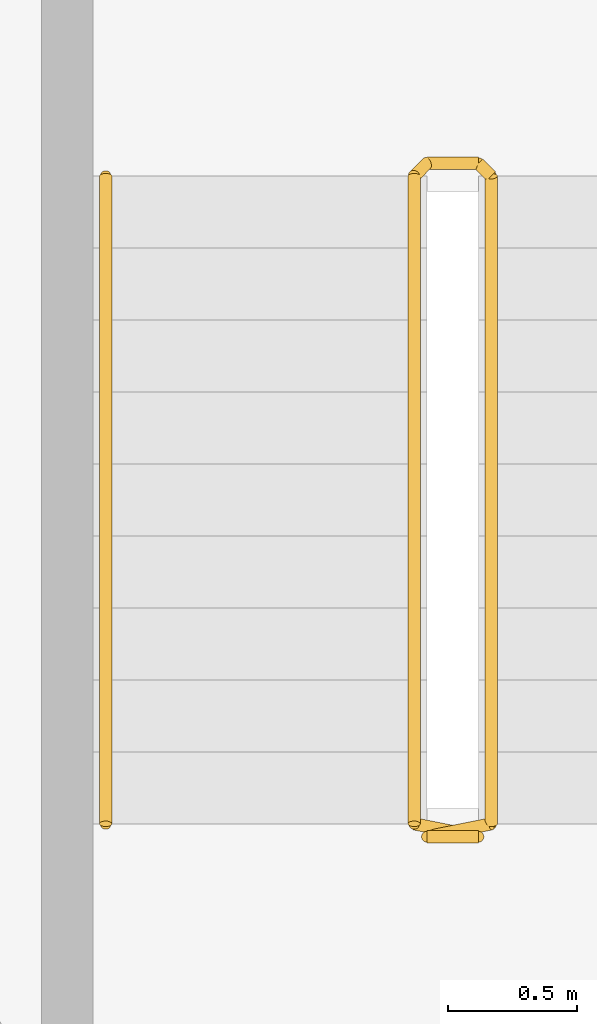
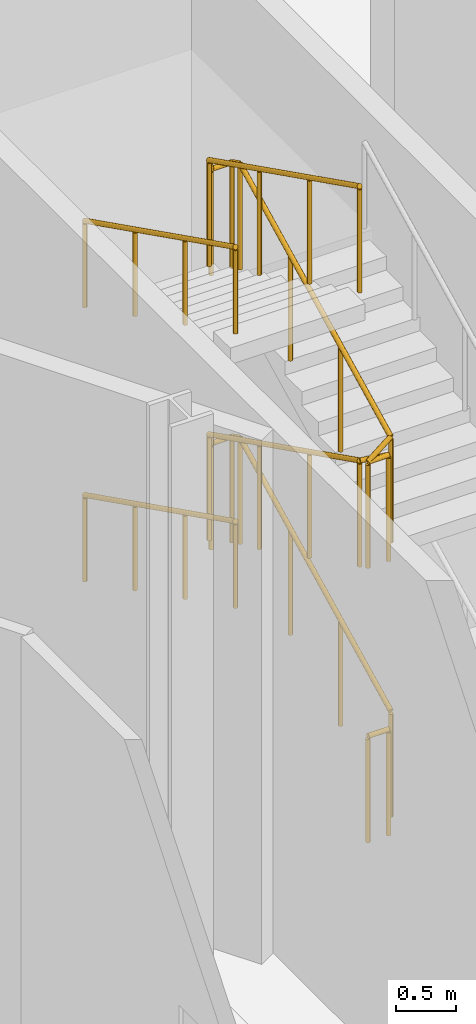
# One storey, part 22 of 26: 4 railings.
"""IFC4 building model written with IfcOpenShell, lengths in metres."""

from ifc_helpers import new_model, si_unit, direction, frame, origin, origin_2d, place, context, subcontext, project, spatial, circle, extrude, material, type_object, element, save


model = new_model("IFC4")

# Units and contexts
model_context = context("Model", 3, precision=1e-05, world=origin(), true_north=direction((0.0, 1.0)))
body_context = subcontext(model_context, "Body", "Model", "MODEL_VIEW")
ifc_project = project(units=[si_unit("LENGTHUNIT", "METRE"), si_unit("AREAUNIT", "SQUARE_METRE"), si_unit("VOLUMEUNIT", "CUBIC_METRE"), si_unit("PLANEANGLEUNIT", "RADIAN"), si_unit("MASSUNIT", "GRAM", prefix="KILO")], contexts=[model_context])

# Site, building, storey
site_placement = place(None, origin())
site = spatial("IfcSite", under=ifc_project, at=site_placement, CompositionType="ELEMENT")
building_placement = place(site_placement, origin())
building = spatial("IfcBuilding", under=site, at=building_placement, Name="Verrane Prism Tower", CompositionType="ELEMENT")
storey_placement = place(building_placement, frame((0.0, 0.0, 87.199951171875)))
storey = spatial("IfcBuildingStorey", under=building, at=storey_placement, Name="L20", CompositionType="ELEMENT", Elevation=87.199951171875)

# Railings
ifc_material_1 = material(Name="Steel A36 rail and posts, no infill", Category="steel")
railing_type_1 = type_object("IfcRailingType", Name="Stair guard 1100 steel rail and posts", PredefinedType="GUARDRAIL", material=ifc_material_1)
railing_1_placement = place(storey_placement, frame((0.14990234375, -13.699951171875, 0.14013671875)))
element("IfcRailing", 1, at=railing_1_placement, inside=storey, type_object=railing_type_1, Name="Stair 3 guard", PredefinedType="GUARDRAIL", context=body_context, shape_type="SweptSolid", body=[
    extrude(circle(Radius=0.02392578125, at=origin_2d()), frame((0.0, 0.0, 1.076171875), z_axis=(0.0, 0.894427191, 0.4472135955), x_axis=(-1.0, 0.0, 0.0)), (0.0, 0.0, 1.0), 2.8173828125),
    extrude(circle(Radius=0.02392578125, at=origin_2d()), frame((0.0, 2.52001953125, 2.3359375), z_axis=(-0.705375805398, 0.708833529934, 0.0), x_axis=(-0.708833529934, -0.705375805398, 0.0)), (0.0, 0.0, 1.0), 0.070556640625),
    extrude(circle(Radius=0.02392578125, at=origin_2d()), frame((-0.0498046875, 2.570068359375, 2.3359375), z_axis=(-1.0, 0.0, 0.0), x_axis=(0.0, -1.0, 0.0)), (0.0, 0.0, 1.0), 0.2001953125),
    extrude(circle(Radius=0.02392578125, at=origin_2d()), frame((-0.25, 2.570068359375, 2.3359375), z_axis=(-0.317831817711, -0.319389816817, 0.892733487982), x_axis=(0.708833529934, -0.705375805398, 0.0)), (0.0, 0.0, 1.0), 0.15673828125),
    extrude(circle(Radius=0.02392578125, at=origin_2d()), frame((-0.2998046875, 2.52001953125, 2.47607421875), z_axis=(0.0, -0.894427191, 0.4472135955), x_axis=(1.0, 0.0, 0.0)), (0.0, 0.0, 1.0), 2.8173828125),
    extrude(circle(Radius=0.02392578125, at=origin_2d()), frame((-0.2998046875, 0.0, 3.73583984375), z_axis=(0.98054382908, -0.196300278283, 0.0), x_axis=(0.196300278283, 0.98054382908, 0.0)), (0.0, 0.0, 1.0), 0.2548828125),
    extrude(circle(Radius=0.02392578125, at=origin_2d()), frame((-0.0498046875, -0.050048828125, 3.73583984375), z_axis=(-1.0, 0.0, 0.0), x_axis=(0.0, -1.0, 0.0)), (0.0, 0.0, 1.0), 0.2001953125),
    extrude(circle(Radius=0.02392578125, at=origin_2d()), frame((-0.25, -0.050048828125, 3.73583984375), z_axis=(0.859645652512, 0.172097030044, 0.481032186415), x_axis=(-0.196300278283, 0.98054382908, 0.0)), (0.0, 0.0, 1.0), 0.290771484375),
    extrude(circle(Radius=0.02392578125, at=origin_2d()), frame((0.0, 0.0, 3.8759765625), z_axis=(0.0, 0.894427191, 0.4472135955), x_axis=(-1.0, 0.0, 0.0)), (0.0, 0.0, 1.0), 2.8173828125),
    extrude(circle(Radius=0.02392578125, at=origin_2d()), frame((0.0, 2.52001953125, 5.1357421875), z_axis=(-0.705375805398, 0.708833529934, 0.0), x_axis=(-0.708833529934, -0.705375805398, 0.0)), (0.0, 0.0, 1.0), 0.070556640625),
    extrude(circle(Radius=0.02392578125, at=origin_2d()), frame((-0.0498046875, 2.570068359375, 5.1357421875), z_axis=(-1.0, 0.0, 0.0), x_axis=(0.0, -1.0, 0.0)), (0.0, 0.0, 1.0), 0.2001953125),
    extrude(circle(Radius=0.02392578125, at=origin_2d()), frame((-0.25, 2.570068359375, 5.1357421875), z_axis=(-0.317390288449, -0.318946123196, 0.89304914495), x_axis=(0.708833529934, -0.705375805398, 0.0)), (0.0, 0.0, 1.0), 0.156982421875),
    extrude(circle(Radius=0.02392578125, at=origin_2d()), frame((-0.2998046875, 2.52001953125, 5.27587890625), z_axis=(0.0, -0.894427191, 0.4472135955), x_axis=(1.0, 0.0, 0.0)), (0.0, 0.0, 1.0), 2.8173828125),
    extrude(circle(Radius=0.02099609375, at=origin_2d()), origin(), (0.0, 0.0, 1.0), 1.052001953125),
    extrude(circle(Radius=0.02099609375, at=origin_2d()), frame((0.0, 0.840087890625, 0.419921875)), (0.0, 0.0, 1.0), 1.052001953125),
    extrude(circle(Radius=0.02099609375, at=origin_2d()), frame((0.0, 1.679931640625, 0.840087890625)), (0.0, 0.0, 1.0), 1.052001953125),
    extrude(circle(Radius=0.02099609375, at=origin_2d()), frame((0.0, 2.52001953125, 1.260009765625)), (0.0, 0.0, 1.0), 1.052001953125),
    extrude(circle(Radius=0.02099609375, at=origin_2d()), frame((-0.0498046875, 2.570068359375, 1.260009765625)), (0.0, 0.0, 1.0), 1.052001953125),
    extrude(circle(Radius=0.02099609375, at=origin_2d()), frame((-0.25, 2.570068359375, 1.260009765625)), (0.0, 0.0, 1.0), 1.052001953125),
    extrude(circle(Radius=0.02099609375, at=origin_2d()), frame((-0.2998046875, 2.52001953125, 1.39990234375)), (0.0, 0.0, 1.0), 1.052001953125),
    extrude(circle(Radius=0.02099609375, at=origin_2d()), frame((-0.2998046875, 1.679931640625, 1.81982421875)), (0.0, 0.0, 1.0), 1.052001953125),
    extrude(circle(Radius=0.02099609375, at=origin_2d()), frame((-0.2998046875, 0.840087890625, 2.239990234375)), (0.0, 0.0, 1.0), 1.052001953125),
    extrude(circle(Radius=0.02099609375, at=origin_2d()), frame((-0.2998046875, 0.0, 2.659912109375)), (0.0, 0.0, 1.0), 1.052001953125),
    extrude(circle(Radius=0.02099609375, at=origin_2d()), frame((-0.0498046875, -0.050048828125, 2.659912109375)), (0.0, 0.0, 1.0), 1.052001953125),
    extrude(circle(Radius=0.02099609375, at=origin_2d()), frame((-0.25, -0.050048828125, 2.659912109375)), (0.0, 0.0, 1.0), 1.052001953125),
    extrude(circle(Radius=0.02099609375, at=origin_2d()), frame((0.0, 0.0, 2.7998046875)), (0.0, 0.0, 1.0), 1.052001953125),
    extrude(circle(Radius=0.02099609375, at=origin_2d()), frame((0.0, 0.840087890625, 3.2197265625)), (0.0, 0.0, 1.0), 1.052001953125),
    extrude(circle(Radius=0.02099609375, at=origin_2d()), frame((0.0, 1.679931640625, 3.639892578125)), (0.0, 0.0, 1.0), 1.052001953125),
    extrude(circle(Radius=0.02099609375, at=origin_2d()), frame((0.0, 2.52001953125, 4.059814453125)), (0.0, 0.0, 1.0), 1.052001953125),
    extrude(circle(Radius=0.02099609375, at=origin_2d()), frame((-0.0498046875, 2.570068359375, 4.059814453125)), (0.0, 0.0, 1.0), 1.052001953125),
    extrude(circle(Radius=0.02099609375, at=origin_2d()), frame((-0.25, 2.570068359375, 4.059814453125)), (0.0, 0.0, 1.0), 1.052001953125),
    extrude(circle(Radius=0.02099609375, at=origin_2d()), frame((-0.2998046875, 2.52001953125, 4.199951171875)), (0.0, 0.0, 1.0), 1.052001953125),
    extrude(circle(Radius=0.02099609375, at=origin_2d()), frame((-0.2998046875, 1.679931640625, 4.619873046875)), (0.0, 0.0, 1.0), 1.052001953125),
    extrude(circle(Radius=0.02099609375, at=origin_2d()), frame((-0.2998046875, 0.840087890625, 5.0400390625)), (0.0, 0.0, 1.0), 1.052001953125),
    extrude(circle(Radius=0.02099609375, at=origin_2d()), frame((-0.2998046875, 0.0, 5.4599609375)), (0.0, 0.0, 1.0), 1.052001953125),
])
railing_2_placement = place(storey_placement, frame((0.10009765625, -13.75, 0.0)))
element("IfcRailing", 2, at=railing_2_placement, inside=storey, type_object=railing_type_1, Name="Stair 3 guard", PredefinedType="GUARDRAIL", context=body_context, shape_type="SweptSolid", body=[
    extrude(circle(Radius=0.02392578125, at=origin_2d()), frame((0.0, 0.0, 1.076171875), z_axis=(-1.0, 0.0, 0.0), x_axis=(0.0, -1.0, 0.0)), (0.0, 0.0, 1.0), 0.2001953125),
    extrude(circle(Radius=0.02099609375, at=origin_2d()), origin(), (0.0, 0.0, 1.0), 1.052001953125),
    extrude(circle(Radius=0.02099609375, at=origin_2d()), frame((-0.2001953125, 0.0, 0.0)), (0.0, 0.0, 1.0), 1.052001953125),
])
ifc_material_2 = material(Name="Steel A36 tube", Category="steel")
railing_type_2 = type_object("IfcRailingType", Name="Stair handrail 900 steel tube", PredefinedType="HANDRAIL", material=ifc_material_2)
for number, where, name in (
    (3, (-1.35009765625, -11.179931640625, 1.5400390625), "Stair 3 handrail"),
    (4, (-1.35009765625, -11.179931640625, 4.340087890625), "Stair 3 handrail"),
):
    element("IfcRailing", number, at=place(storey_placement, frame(where)), inside=storey, type_object=railing_type_2, Name=name, PredefinedType="HANDRAIL", context=body_context, shape_type="SweptSolid", body=[
        extrude(circle(Radius=0.02392578125, at=origin_2d()), frame((0.0, 0.0, 0.8759765625), z_axis=(0.0, -0.894427191, 0.4472135955), x_axis=(1.0, 0.0, 0.0)), (0.0, 0.0, 1.0), 2.8173828125),
        extrude(circle(Radius=0.02099609375, at=origin_2d()), origin(), (0.0, 0.0, 1.0), 0.851806640625),
        extrude(circle(Radius=0.02099609375, at=origin_2d()), frame((0.0, -0.840087890625, 0.419921875)), (0.0, 0.0, 1.0), 0.851806640625),
        extrude(circle(Radius=0.02099609375, at=origin_2d()), frame((0.0, -1.679931640625, 0.840087890625)), (0.0, 0.0, 1.0), 0.851806640625),
        extrude(circle(Radius=0.02099609375, at=origin_2d()), frame((0.0, -2.52001953125, 1.260009765625)), (0.0, 0.0, 1.0), 0.851806640625),
    ])

save(model, "model.ifc")
